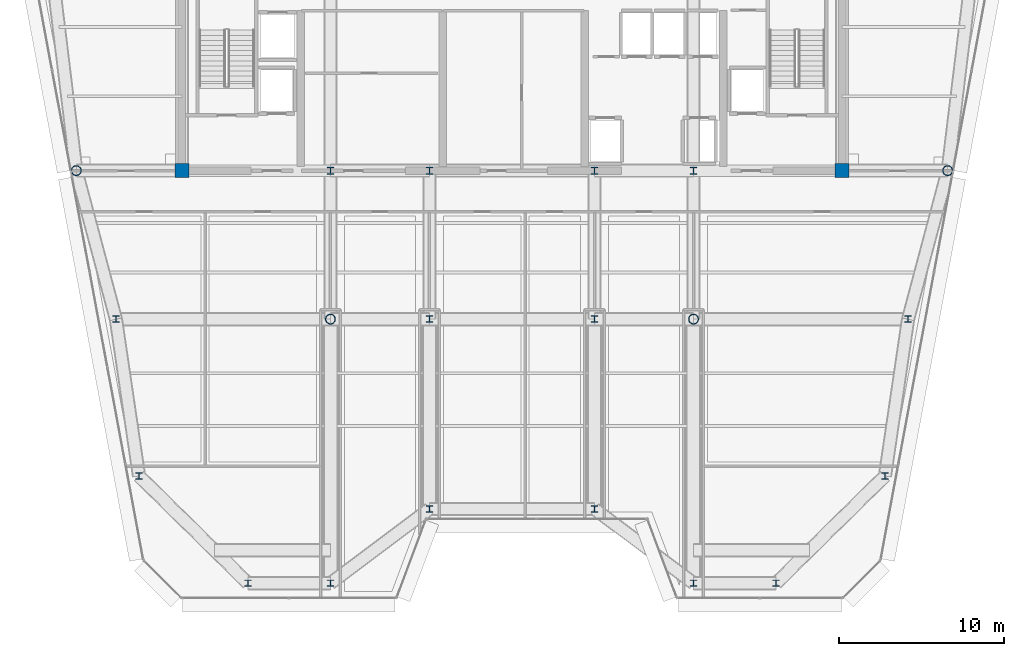
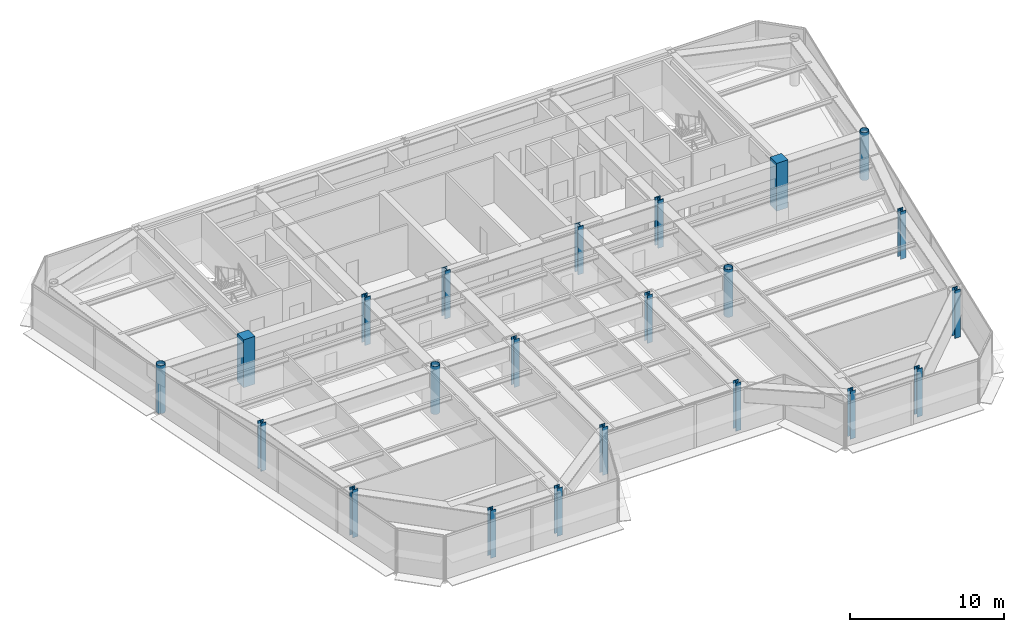
# One storey, part 1 of 18: 22 columns.
"""IFC4 building model written with IfcOpenShell, lengths in metres."""

from ifc_helpers import new_model, si_unit, direction, frame, origin, origin_2d, place, context, subcontext, project, spatial, rectangle, hollow_circle, i_section, extrude, source, transform, mapped, material, material_profile, profile_set, type_object, element, save


model = new_model("IFC4")

# Units and contexts
model_context = context("Model", 3, precision=1e-05, world=origin(), true_north=direction((0.0, 1.0)))
body_context = subcontext(model_context, "Body", "Model", "MODEL_VIEW")
ifc_project = project(units=[si_unit("LENGTHUNIT", "METRE"), si_unit("AREAUNIT", "SQUARE_METRE"), si_unit("VOLUMEUNIT", "CUBIC_METRE"), si_unit("PLANEANGLEUNIT", "RADIAN"), si_unit("MASSUNIT", "GRAM", prefix="KILO")], contexts=[model_context])

# Site, building, storey
site_placement = place(None, origin())
site = spatial("IfcSite", under=ifc_project, at=site_placement, CompositionType="ELEMENT")
building_placement = place(site_placement, origin())
building = spatial("IfcBuilding", under=site, at=building_placement, Name="Vaeldorn Concourse Tower", CompositionType="ELEMENT")
storey_placement = place(building_placement, frame((0.0, 0.0, 265.0)))
storey = spatial("IfcBuildingStorey", under=building, at=storey_placement, Name="L68", CompositionType="ELEMENT", Elevation=265.0)

# Columns
ifc_material_1 = material(Name="Concrete C50/60", Category="concrete")
ifc_material_profile_1 = material_profile(ifc_material_1, rectangle(XDim=0.85009765625, YDim=0.85009765625, at=origin_2d()), Name="RC 850x850")
ifc_profile_set_1 = profile_set([ifc_material_profile_1], Name="Concrete C50/60")
column_type_1 = type_object("IfcColumnType", Name="COL-RC850", PredefinedType="COLUMN", material=ifc_profile_set_1)
shared_shape_1 = source(origin(), body_context, "Body", "SweptSolid", [
    extrude(rectangle(XDim=0.85009765625, YDim=0.85009765625, at=origin_2d()), origin(), (0.0, 0.0, 1.0), 3.800048828125),
])
for number, where, z_axis, x_axis, name in (
    (1, (14.0, 36.5, 0.0), (0.0, 0.0, 1.0), (1.0, 0.0, 0.0), "Column C-FC1 L68"),
    (2, (54.0, 36.5, 0.0), (0.0, 0.0, 1.0), (1.0, 0.0, 0.0), "Column C-FC6 L68"),
):
    element("IfcColumn", number, at=place(storey_placement, frame(where, z_axis=z_axis, x_axis=x_axis)), inside=storey, type_object=column_type_1, Name=name, PredefinedType="COLUMN", context=body_context, shape_type="MappedRepresentation", body=[
        mapped(shared_shape_1, transform((0.0, 0.0, 0.0), scale=1.0)),
    ])
ifc_material_2 = material(Name="Steel S460", Category="steel")
ifc_material_profile_2 = material_profile(ifc_material_2, i_section(OverallWidth=0.41796875, OverallDepth=0.455078125, WebThickness=0.0419921875, FlangeThickness=0.05810546875, FilletRadius=0.014892578125, at=origin_2d()), Name="HD 400x551")
ifc_profile_set_2 = profile_set([ifc_material_profile_2], Name="Steel S460")
column_type_2 = type_object("IfcColumnType", Name="COL-HD551", PredefinedType="COLUMN", material=ifc_profile_set_2)
shared_shape_2 = source(origin(), body_context, "Body", "SweptSolid", [
    extrude(i_section(OverallWidth=0.41796875, OverallDepth=0.455078125, WebThickness=0.0419921875, FlangeThickness=0.05810546875, FilletRadius=0.014892578125, at=origin_2d()), origin(), (0.0, 0.0, 1.0), 3.800048828125),
])
for number, where, z_axis, x_axis, name in (
    (3, (23.0, 36.5, 0.0), (0.0, 0.0, 1.0), (1.0, 0.0, 0.0), "Column C-FC2 L68"),
    (4, (29.0, 36.5, 0.0), (0.0, 0.0, 1.0), (1.0, 0.0, 0.0), "Column C-FC3 L68"),
    (5, (39.0, 36.5, 0.0), (0.0, 0.0, 1.0), (1.0, 0.0, 0.0), "Column C-FC4 L68"),
    (6, (45.0, 36.5, 0.0), (0.0, 0.0, 1.0), (1.0, 0.0, 0.0), "Column C-FC5 L68"),
):
    element("IfcColumn", number, at=place(storey_placement, frame(where, z_axis=z_axis, x_axis=x_axis)), inside=storey, type_object=column_type_2, Name=name, PredefinedType="COLUMN", context=body_context, shape_type="MappedRepresentation", body=[
        mapped(shared_shape_2, transform((0.0, 0.0, 0.0), scale=1.0)),
    ])
ifc_material_3 = material(Name="Steel S355", Category="steel")
ifc_material_profile_3 = material_profile(ifc_material_3, hollow_circle(Radius=0.304931640625, WallThickness=0.030029296875, at=origin_2d()), Name="CHS 610x30")
ifc_profile_set_3 = profile_set([ifc_material_profile_3], Name="Steel S355")
column_type_3 = type_object("IfcColumnType", Name="COL-CHS610", PredefinedType="COLUMN", material=ifc_profile_set_3)
shared_shape_3 = source(origin(), body_context, "Body", "SweptSolid", [
    extrude(hollow_circle(Radius=0.304931640625, WallThickness=0.030029296875, at=origin_2d()), origin(), (0.0, 0.0, 1.0), 3.800048828125),
])
for number, where, z_axis, x_axis, name in (
    (7, (7.60009765625, 36.5, 0.0), (0.0, 0.0, 1.0), (1.0, 0.0, 0.0), "Column C-NW2 L68"),
    (8, (60.39990234375, 36.5, 0.0), (0.0, 0.0, 1.0), (1.0, 0.0, 0.0), "Column C-NE2 L68"),
    (9, (23.0, 27.5, 0.0), (0.0, 0.0, 1.0), (1.0, 0.0, 0.0), "Column C-TW1 L68"),
    (10, (45.0, 27.5, 0.0), (0.0, 0.0, 1.0), (1.0, 0.0, 0.0), "Column C-TW4 L68"),
):
    element("IfcColumn", number, at=place(storey_placement, frame(where, z_axis=z_axis, x_axis=x_axis)), inside=storey, type_object=column_type_3, Name=name, PredefinedType="COLUMN", context=body_context, shape_type="MappedRepresentation", body=[
        mapped(shared_shape_3, transform((0.0, 0.0, 0.0), scale=1.0)),
    ])
ifc_material_profile_4 = material_profile(ifc_material_3, i_section(OverallWidth=0.40087890625, OverallDepth=0.39892578125, WebThickness=0.02490234375, FlangeThickness=0.034912109375, FilletRadius=0.014892578125, at=origin_2d()), Name="HD 400x314")
ifc_profile_set_4 = profile_set([ifc_material_profile_4], Name="Steel S355")
column_type_4 = type_object("IfcColumnType", Name="COL-HD314F", PredefinedType="COLUMN", material=ifc_profile_set_4)
shared_shape_4 = source(origin(), body_context, "Body", "SweptSolid", [
    extrude(i_section(OverallWidth=0.40087890625, OverallDepth=0.39892578125, WebThickness=0.02490234375, FlangeThickness=0.034912109375, FilletRadius=0.014892578125, at=origin_2d()), origin(), (0.0, 0.0, 1.0), 3.800048828125),
])
for number, where, z_axis, x_axis, name in (
    (11, (10.0, 27.5, 0.0), (0.0, 0.0, 1.0), (1.0, 0.0, 0.0), "Column C-FLW1 L68"),
    (12, (11.39990234375, 18.0, 0.0), (0.0, 0.0, 1.0), (1.0, 0.0, 0.0), "Column C-FLW2 L68"),
    (13, (58.0, 27.5, 0.0), (0.0, 0.0, 1.0), (1.0, 0.0, 0.0), "Column C-FLE1 L68"),
    (14, (56.60009765625, 18.0, 0.0), (0.0, 0.0, 1.0), (1.0, 0.0, 0.0), "Column C-FLE2 L68"),
):
    element("IfcColumn", number, at=place(storey_placement, frame(where, z_axis=z_axis, x_axis=x_axis)), inside=storey, type_object=column_type_4, Name=name, PredefinedType="COLUMN", context=body_context, shape_type="MappedRepresentation", body=[
        mapped(shared_shape_4, transform((0.0, 0.0, 0.0), scale=1.0)),
    ])
ifc_material_profile_5 = material_profile(ifc_material_3, i_section(OverallWidth=0.39794921875, OverallDepth=0.386962890625, WebThickness=0.0205078125, FlangeThickness=0.029052734375, FilletRadius=0.014892578125, at=origin_2d()), Name="HD 400x262")
ifc_profile_set_5 = profile_set([ifc_material_profile_5], Name="Steel S355")
column_type_5 = type_object("IfcColumnType", Name="COL-HD262T", PredefinedType="COLUMN", material=ifc_profile_set_5)
shared_shape_5 = source(origin(), body_context, "Body", "SweptSolid", [
    extrude(i_section(OverallWidth=0.39794921875, OverallDepth=0.386962890625, WebThickness=0.0205078125, FlangeThickness=0.029052734375, FilletRadius=0.014892578125, at=origin_2d()), origin(), (0.0, 0.0, 1.0), 3.800048828125),
])
for number, where, z_axis, x_axis, name in (
    (15, (29.0, 27.5, 0.0), (0.0, 0.0, 1.0), (1.0, 0.0, 0.0), "Column C-TW2 L68"),
    (16, (39.0, 27.5, 0.0), (0.0, 0.0, 1.0), (1.0, 0.0, 0.0), "Column C-TW3 L68"),
    (17, (18.0, 11.5, 0.0), (0.0, 0.0, 1.0), (1.0, 0.0, 0.0), "Column C-SF1 L68"),
    (18, (23.0, 11.5, 0.0), (0.0, 0.0, 1.0), (1.0, 0.0, 0.0), "Column C-SF2 L68"),
    (19, (29.0, 16.0, 0.0), (0.0, 0.0, 1.0), (1.0, 0.0, 0.0), "Column C-SF3 L68"),
    (20, (39.0, 16.0, 0.0), (0.0, 0.0, 1.0), (1.0, 0.0, 0.0), "Column C-SF4 L68"),
    (21, (45.0, 11.5, 0.0), (0.0, 0.0, 1.0), (1.0, 0.0, 0.0), "Column C-SF5 L68"),
    (22, (50.0, 11.5, 0.0), (0.0, 0.0, 1.0), (1.0, 0.0, 0.0), "Column C-SF6 L68"),
):
    element("IfcColumn", number, at=place(storey_placement, frame(where, z_axis=z_axis, x_axis=x_axis)), inside=storey, type_object=column_type_5, Name=name, PredefinedType="COLUMN", context=body_context, shape_type="MappedRepresentation", body=[
        mapped(shared_shape_5, transform((0.0, 0.0, 0.0), scale=1.0)),
    ])

save(model, "model.ifc")
